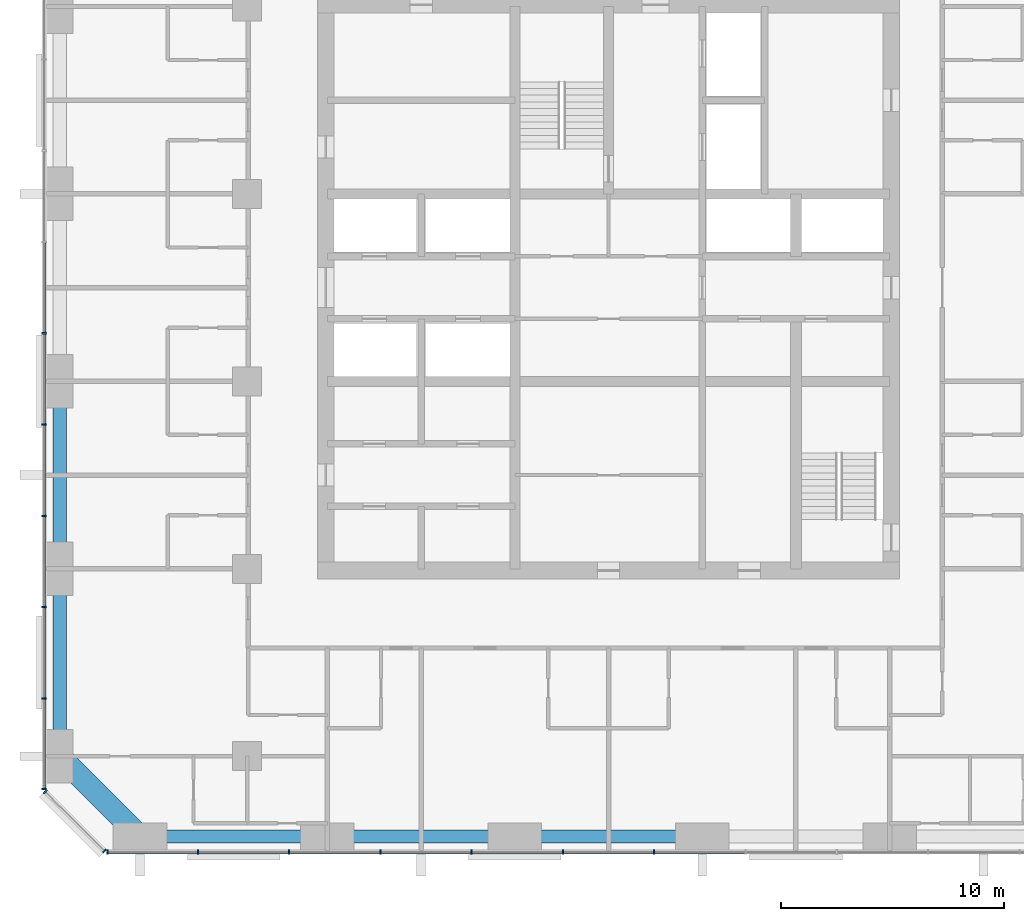
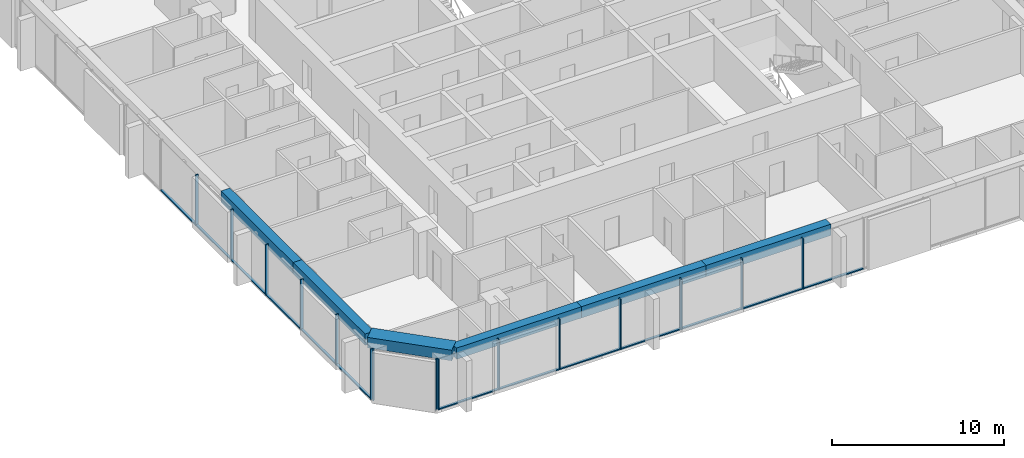
# One storey, part 2 of 13: 28 members, 6 beams, 3 elements without a shape of their own.
"""IFC4 building model written with IfcOpenShell, lengths in metres."""

from ifc_helpers import new_model, si_unit, direction, frame, origin, origin_2d, place, context, subcontext, project, spatial, rectangle, extrude, material, material_profile, profile_set, type_object, element, aggregate, save


model = new_model("IFC4")

# Units and contexts
model_context = context("Model", 3, precision=1e-05, world=origin(), true_north=direction((0.0, 1.0)))
body_context = subcontext(model_context, "Body", "Model", "MODEL_VIEW")
ifc_project = project(units=[si_unit("LENGTHUNIT", "METRE"), si_unit("AREAUNIT", "SQUARE_METRE"), si_unit("VOLUMEUNIT", "CUBIC_METRE"), si_unit("PLANEANGLEUNIT", "RADIAN"), si_unit("MASSUNIT", "GRAM", prefix="KILO")], contexts=[model_context])

# Site, building, storey
site_placement = place(None, origin())
site = spatial("IfcSite", under=ifc_project, at=site_placement, CompositionType="ELEMENT")
building_placement = place(site_placement, origin())
building = spatial("IfcBuilding", under=site, at=building_placement, Name="Dunama Terrace Hotel", CompositionType="ELEMENT")
storey_placement = place(building_placement, frame((0.0, 0.0, 166.199951171875)))
storey = spatial("IfcBuildingStorey", under=building, at=storey_placement, Name="L42", CompositionType="ELEMENT", Elevation=166.199951171875)

# Curtain wall, members
ifc_material_1 = material(Name="Aluminium curtain wall system", Category="aluminium")
curtain_wall_type = type_object("IfcCurtainWallType", Name="Unitised fritted glass wall CW-C", PredefinedType="NOTDEFINED", material=ifc_material_1)
curtain_wall_1_placement = place(storey_placement, origin())
curtain_wall_1 = element("IfcCurtainWall", 1, at=curtain_wall_1_placement, inside=storey, type_object=curtain_wall_type, Name="Unitised fritted glass wall CW-C L42", PredefinedType="NOTDEFINED")
ifc_material_2 = material(Name="Aluminium mullion", Category="aluminium")
ifc_material_profile_1 = material_profile(ifc_material_2, rectangle(XDim=0.070068359375, YDim=0.199951171875, at=origin_2d()), Name="CWC MULLION 70X200")
ifc_profile_set_1 = profile_set([ifc_material_profile_1], Name="Aluminium mullion")
member_type_1 = type_object("IfcMemberType", Name="CWC mullion 70x200", PredefinedType="MULLION", material=ifc_profile_set_1)
member_1_placement = place(storey_placement, frame((6.93505859375, 4.10009765625, 0.0), z_axis=(0.0, 0.0, 1.0), x_axis=(1.0, 0.0, 0.0)))
member_1 = element("IfcMember", 2, at=member_1_placement, type_object=member_type_1, Name="CWC mullion", PredefinedType="MULLION", context=body_context, shape_type="SweptSolid", body=[
    extrude(rectangle(XDim=0.070068359375, YDim=0.199951171875, at=origin_2d()), origin(), (0.0, 0.0, 1.0), 3.60009765625),
])
member_2_placement = place(storey_placement, frame((10.990966796875, 4.10009765625, 0.0), z_axis=(0.0, 0.0, 1.0), x_axis=(1.0, 0.0, 0.0)))
member_2 = element("IfcMember", 3, at=member_2_placement, type_object=member_type_1, Name="CWC mullion", PredefinedType="MULLION", context=body_context, shape_type="SweptSolid", body=[
    extrude(rectangle(XDim=0.070068359375, YDim=0.199951171875, at=origin_2d()), origin(), (0.0, 0.0, 1.0), 3.60009765625),
])
member_3_placement = place(storey_placement, frame((15.08203125, 4.10009765625, 0.0), z_axis=(0.0, 0.0, 1.0), x_axis=(1.0, 0.0, 0.0)))
member_3 = element("IfcMember", 4, at=member_3_placement, type_object=member_type_1, Name="CWC mullion", PredefinedType="MULLION", context=body_context, shape_type="SweptSolid", body=[
    extrude(rectangle(XDim=0.070068359375, YDim=0.199951171875, at=origin_2d()), origin(), (0.0, 0.0, 1.0), 3.60009765625),
])
member_4_placement = place(storey_placement, frame((19.173095703125, 4.10009765625, 0.0), z_axis=(0.0, 0.0, 1.0), x_axis=(1.0, 0.0, 0.0)))
member_4 = element("IfcMember", 5, at=member_4_placement, type_object=member_type_1, Name="CWC mullion", PredefinedType="MULLION", context=body_context, shape_type="SweptSolid", body=[
    extrude(rectangle(XDim=0.070068359375, YDim=0.199951171875, at=origin_2d()), origin(), (0.0, 0.0, 1.0), 3.60009765625),
])
member_5_placement = place(storey_placement, frame((23.263916015625, 4.10009765625, 0.0), z_axis=(0.0, 0.0, 1.0), x_axis=(1.0, 0.0, 0.0)))
member_5 = element("IfcMember", 6, at=member_5_placement, type_object=member_type_1, Name="CWC mullion", PredefinedType="MULLION", context=body_context, shape_type="SweptSolid", body=[
    extrude(rectangle(XDim=0.070068359375, YDim=0.199951171875, at=origin_2d()), origin(), (0.0, 0.0, 1.0), 3.60009765625),
])
member_6_placement = place(storey_placement, frame((27.35498046875, 4.10009765625, 0.0), z_axis=(0.0, 0.0, 1.0), x_axis=(1.0, 0.0, 0.0)))
member_6 = element("IfcMember", 7, at=member_6_placement, type_object=member_type_1, Name="CWC mullion", PredefinedType="MULLION", context=body_context, shape_type="SweptSolid", body=[
    extrude(rectangle(XDim=0.070068359375, YDim=0.199951171875, at=origin_2d()), origin(), (0.0, 0.0, 1.0), 3.60009765625),
])
member_7_placement = place(storey_placement, frame((31.445068359375, 4.10009765625, 0.0), z_axis=(0.0, 0.0, 1.0), x_axis=(1.0, 0.0, 0.0)))
member_7 = element("IfcMember", 8, at=member_7_placement, type_object=member_type_1, Name="CWC mullion", PredefinedType="MULLION", context=body_context, shape_type="SweptSolid", body=[
    extrude(rectangle(XDim=0.070068359375, YDim=0.199951171875, at=origin_2d()), origin(), (0.0, 0.0, 1.0), 3.60009765625),
])

curtain_wall_2_placement = place(storey_placement, origin())
curtain_wall_2 = element("IfcCurtainWall", 9, at=curtain_wall_2_placement, inside=storey, type_object=curtain_wall_type, Name="Unitised fritted glass wall CW-C L42", PredefinedType="NOTDEFINED")
member_8_placement = place(storey_placement, frame((4.10009765625, 27.35498046875, 0.0), z_axis=(0.0, 0.0, 1.0), x_axis=(0.0, -1.0, 0.0)))
member_8 = element("IfcMember", 10, at=member_8_placement, type_object=member_type_1, Name="CWC mullion", PredefinedType="MULLION", context=body_context, shape_type="SweptSolid", body=[
    extrude(rectangle(XDim=0.070068359375, YDim=0.199951171875, at=origin_2d()), origin(), (0.0, 0.0, 1.0), 3.60009765625),
])
member_9_placement = place(storey_placement, frame((4.10009765625, 23.263916015625, 0.0), z_axis=(0.0, 0.0, 1.0), x_axis=(0.0, -1.0, 0.0)))
member_9 = element("IfcMember", 11, at=member_9_placement, type_object=member_type_1, Name="CWC mullion", PredefinedType="MULLION", context=body_context, shape_type="SweptSolid", body=[
    extrude(rectangle(XDim=0.070068359375, YDim=0.199951171875, at=origin_2d()), origin(), (0.0, 0.0, 1.0), 3.60009765625),
])
member_10_placement = place(storey_placement, frame((4.10009765625, 19.173095703125, 0.0), z_axis=(0.0, 0.0, 1.0), x_axis=(0.0, -1.0, 0.0)))
member_10 = element("IfcMember", 12, at=member_10_placement, type_object=member_type_1, Name="CWC mullion", PredefinedType="MULLION", context=body_context, shape_type="SweptSolid", body=[
    extrude(rectangle(XDim=0.070068359375, YDim=0.199951171875, at=origin_2d()), origin(), (0.0, 0.0, 1.0), 3.60009765625),
])
member_11_placement = place(storey_placement, frame((4.10009765625, 15.08203125, 0.0), z_axis=(0.0, 0.0, 1.0), x_axis=(0.0, -1.0, 0.0)))
member_11 = element("IfcMember", 13, at=member_11_placement, type_object=member_type_1, Name="CWC mullion", PredefinedType="MULLION", context=body_context, shape_type="SweptSolid", body=[
    extrude(rectangle(XDim=0.070068359375, YDim=0.199951171875, at=origin_2d()), origin(), (0.0, 0.0, 1.0), 3.60009765625),
])
member_12_placement = place(storey_placement, frame((4.10009765625, 10.990966796875, 0.0), z_axis=(0.0, 0.0, 1.0), x_axis=(0.0, -1.0, 0.0)))
member_12 = element("IfcMember", 14, at=member_12_placement, type_object=member_type_1, Name="CWC mullion", PredefinedType="MULLION", context=body_context, shape_type="SweptSolid", body=[
    extrude(rectangle(XDim=0.070068359375, YDim=0.199951171875, at=origin_2d()), origin(), (0.0, 0.0, 1.0), 3.60009765625),
])
member_13_placement = place(storey_placement, frame((4.10009765625, 6.93505859375, 0.0), z_axis=(0.0, 0.0, 1.0), x_axis=(0.0, -1.0, 0.0)))
member_13 = element("IfcMember", 15, at=member_13_placement, type_object=member_type_1, Name="CWC mullion", PredefinedType="MULLION", context=body_context, shape_type="SweptSolid", body=[
    extrude(rectangle(XDim=0.070068359375, YDim=0.199951171875, at=origin_2d()), origin(), (0.0, 0.0, 1.0), 3.60009765625),
])

curtain_wall_3_placement = place(storey_placement, origin())
curtain_wall_3 = element("IfcCurtainWall", 16, at=curtain_wall_3_placement, inside=storey, type_object=curtain_wall_type, Name="Unitised fritted glass wall CW-C L42", PredefinedType="NOTDEFINED")
member_14_placement = place(storey_placement, frame((4.154052734375, 6.804931640625, 0.0), z_axis=(0.0, 0.0, 1.0), x_axis=(0.707106781187, -0.707106781187, 0.0)))
member_14 = element("IfcMember", 17, at=member_14_placement, type_object=member_type_1, Name="CWC mullion", PredefinedType="MULLION", context=body_context, shape_type="SweptSolid", body=[
    extrude(rectangle(XDim=0.070068359375, YDim=0.199951171875, at=origin_2d()), origin(), (0.0, 0.0, 1.0), 3.60009765625),
])
member_15_placement = place(storey_placement, frame((6.804931640625, 4.154052734375, 0.0), z_axis=(0.0, 0.0, 1.0), x_axis=(0.707106781187, -0.707106781187, 0.0)))
member_15 = element("IfcMember", 18, at=member_15_placement, type_object=member_type_1, Name="CWC mullion", PredefinedType="MULLION", context=body_context, shape_type="SweptSolid", body=[
    extrude(rectangle(XDim=0.070068359375, YDim=0.199951171875, at=origin_2d()), origin(), (0.0, 0.0, 1.0), 3.60009765625),
])
aggregate(curtain_wall_3, [member_14, member_15])

# Member
ifc_material_3 = material(Name="Aluminium transom", Category="aluminium")
ifc_material_profile_2 = material_profile(ifc_material_3, rectangle(XDim=0.159912109375, YDim=0.080078125, at=origin_2d()), Name="CWC TRANSOM 160X80")
ifc_profile_set_2 = profile_set([ifc_material_profile_2], Name="Aluminium transom")
member_type_2 = type_object("IfcMemberType", Name="CWC transom 160x80", PredefinedType="USERDEFINED", material=ifc_profile_set_2)
member_16_placement = place(storey_placement, frame((6.969970703125, 4.10009765625, 0.0400390625), z_axis=(1.0, 0.0, 0.0), x_axis=(0.0, 1.0, 0.0)))
member_16 = element("IfcMember", 19, at=member_16_placement, type_object=member_type_2, Name="CWC transom", ObjectType="TRANSOM", PredefinedType="USERDEFINED", context=body_context, shape_type="SweptSolid", body=[
    extrude(rectangle(XDim=0.159912109375, YDim=0.080078125, at=origin_2d()), origin(), (0.0, 0.0, 1.0), 3.986083984375),
])

member_17_placement = place(storey_placement, frame((11.02587890625, 4.10009765625, 0.0400390625), z_axis=(1.0, 0.0, 0.0), x_axis=(0.0, 1.0, 0.0)))
member_17 = element("IfcMember", 20, at=member_17_placement, type_object=member_type_2, Name="CWC transom", ObjectType="TRANSOM", PredefinedType="USERDEFINED", context=body_context, shape_type="SweptSolid", body=[
    extrude(rectangle(XDim=0.159912109375, YDim=0.080078125, at=origin_2d()), origin(), (0.0, 0.0, 1.0), 4.021240234375),
])

member_18_placement = place(storey_placement, frame((15.116943359375, 4.10009765625, 0.0400390625), z_axis=(1.0, 0.0, 0.0), x_axis=(0.0, 1.0, 0.0)))
member_18 = element("IfcMember", 21, at=member_18_placement, type_object=member_type_2, Name="CWC transom", ObjectType="TRANSOM", PredefinedType="USERDEFINED", context=body_context, shape_type="SweptSolid", body=[
    extrude(rectangle(XDim=0.159912109375, YDim=0.080078125, at=origin_2d()), origin(), (0.0, 0.0, 1.0), 4.02099609375),
])

member_19_placement = place(storey_placement, frame((19.2080078125, 4.10009765625, 0.0400390625), z_axis=(1.0, 0.0, 0.0), x_axis=(0.0, 1.0, 0.0)))
member_19 = element("IfcMember", 22, at=member_19_placement, type_object=member_type_2, Name="CWC transom", ObjectType="TRANSOM", PredefinedType="USERDEFINED", context=body_context, shape_type="SweptSolid", body=[
    extrude(rectangle(XDim=0.159912109375, YDim=0.080078125, at=origin_2d()), origin(), (0.0, 0.0, 1.0), 4.02099609375),
])

member_20_placement = place(storey_placement, frame((23.299072265625, 4.10009765625, 0.0400390625), z_axis=(1.0, 0.0, 0.0), x_axis=(0.0, 1.0, 0.0)))
member_20 = element("IfcMember", 23, at=member_20_placement, type_object=member_type_2, Name="CWC transom", ObjectType="TRANSOM", PredefinedType="USERDEFINED", context=body_context, shape_type="SweptSolid", body=[
    extrude(rectangle(XDim=0.159912109375, YDim=0.080078125, at=origin_2d()), origin(), (0.0, 0.0, 1.0), 4.02099609375),
])

member_21_placement = place(storey_placement, frame((27.389892578125, 4.10009765625, 0.0400390625), z_axis=(1.0, 0.0, 0.0), x_axis=(0.0, 1.0, 0.0)))
member_21 = element("IfcMember", 24, at=member_21_placement, type_object=member_type_2, Name="CWC transom", ObjectType="TRANSOM", PredefinedType="USERDEFINED", context=body_context, shape_type="SweptSolid", body=[
    extrude(rectangle(XDim=0.159912109375, YDim=0.080078125, at=origin_2d()), origin(), (0.0, 0.0, 1.0), 4.02001953125),
])

member_22_placement = place(storey_placement, frame((31.47998046875, 4.10009765625, 0.0400390625), z_axis=(1.0, 0.0, 0.0), x_axis=(0.0, 1.0, 0.0)))
member_22 = element("IfcMember", 25, at=member_22_placement, type_object=member_type_2, Name="CWC transom", ObjectType="TRANSOM", PredefinedType="USERDEFINED", context=body_context, shape_type="SweptSolid", body=[
    extrude(rectangle(XDim=0.159912109375, YDim=0.080078125, at=origin_2d()), origin(), (0.0, 0.0, 1.0), 4.02099609375),
])

aggregate(curtain_wall_1, [member_1, member_2, member_3, member_4, member_5, member_6, member_7, member_16, member_17, member_18, member_19, member_20, member_21, member_22])

member_23_placement = place(storey_placement, frame((4.10009765625, 31.409912109375, 0.0400390625), z_axis=(0.0, -1.0, 0.0), x_axis=(1.0, 0.0, 0.0)))
member_23 = element("IfcMember", 26, at=member_23_placement, type_object=member_type_2, Name="CWC transom", ObjectType="TRANSOM", PredefinedType="USERDEFINED", context=body_context, shape_type="SweptSolid", body=[
    extrude(rectangle(XDim=0.159912109375, YDim=0.080078125, at=origin_2d()), origin(), (0.0, 0.0, 1.0), 4.02001953125),
])

member_24_placement = place(storey_placement, frame((4.10009765625, 27.320068359375, 0.0400390625), z_axis=(0.0, -1.0, 0.0), x_axis=(1.0, 0.0, 0.0)))
member_24 = element("IfcMember", 27, at=member_24_placement, type_object=member_type_2, Name="CWC transom", ObjectType="TRANSOM", PredefinedType="USERDEFINED", context=body_context, shape_type="SweptSolid", body=[
    extrude(rectangle(XDim=0.159912109375, YDim=0.080078125, at=origin_2d()), origin(), (0.0, 0.0, 1.0), 4.02099609375),
])

member_25_placement = place(storey_placement, frame((4.10009765625, 23.22900390625, 0.0400390625), z_axis=(0.0, -1.0, 0.0), x_axis=(1.0, 0.0, 0.0)))
member_25 = element("IfcMember", 28, at=member_25_placement, type_object=member_type_2, Name="CWC transom", ObjectType="TRANSOM", PredefinedType="USERDEFINED", context=body_context, shape_type="SweptSolid", body=[
    extrude(rectangle(XDim=0.159912109375, YDim=0.080078125, at=origin_2d()), origin(), (0.0, 0.0, 1.0), 4.02099609375),
])

member_26_placement = place(storey_placement, frame((4.10009765625, 19.137939453125, 0.0400390625), z_axis=(0.0, -1.0, 0.0), x_axis=(1.0, 0.0, 0.0)))
member_26 = element("IfcMember", 29, at=member_26_placement, type_object=member_type_2, Name="CWC transom", ObjectType="TRANSOM", PredefinedType="USERDEFINED", context=body_context, shape_type="SweptSolid", body=[
    extrude(rectangle(XDim=0.159912109375, YDim=0.080078125, at=origin_2d()), origin(), (0.0, 0.0, 1.0), 4.02099609375),
])

member_27_placement = place(storey_placement, frame((4.10009765625, 15.047119140625, 0.0400390625), z_axis=(0.0, -1.0, 0.0), x_axis=(1.0, 0.0, 0.0)))
member_27 = element("IfcMember", 30, at=member_27_placement, type_object=member_type_2, Name="CWC transom", ObjectType="TRANSOM", PredefinedType="USERDEFINED", context=body_context, shape_type="SweptSolid", body=[
    extrude(rectangle(XDim=0.159912109375, YDim=0.080078125, at=origin_2d()), origin(), (0.0, 0.0, 1.0), 4.021240234375),
])

member_28_placement = place(storey_placement, frame((4.10009765625, 10.9560546875, 0.0400390625), z_axis=(0.0, -1.0, 0.0), x_axis=(1.0, 0.0, 0.0)))
member_28 = element("IfcMember", 31, at=member_28_placement, type_object=member_type_2, Name="CWC transom", ObjectType="TRANSOM", PredefinedType="USERDEFINED", context=body_context, shape_type="SweptSolid", body=[
    extrude(rectangle(XDim=0.159912109375, YDim=0.080078125, at=origin_2d()), origin(), (0.0, 0.0, 1.0), 3.986083984375),
])

aggregate(curtain_wall_2, [member_8, member_9, member_10, member_11, member_12, member_13, member_23, member_24, member_25, member_26, member_27, member_28])

# Beams
ifc_material_4 = material(Name="Concrete C50/60", Category="concrete")
ifc_material_profile_3 = material_profile(ifc_material_4, rectangle(XDim=1.0, YDim=0.75, at=origin_2d()), Name="RC 1000x750")
ifc_profile_set_3 = profile_set([ifc_material_profile_3], Name="Concrete C50/60")
beam_type_1 = type_object("IfcBeamType", Name="Edge beam RC 1000x750", PredefinedType="SPANDREL", material=ifc_profile_set_3)
beam_1_placement = place(storey_placement, frame((8.39990234375, 4.800048828125, 3.22509765625), z_axis=(-0.707106781187, 0.707106781187, 0.0), x_axis=(-0.707106781187, -0.707106781187, 0.0)))
element("IfcBeam", 32, at=beam_1_placement, inside=storey, type_object=beam_type_1, Name="Corner edge beam under L43", PredefinedType="SPANDREL", context=body_context, shape_type="SweptSolid", body=[
    extrude(rectangle(XDim=1.0, YDim=0.75, at=origin_2d()), origin(), (0.0, 0.0, 1.0), 5.091064453125),
])
ifc_material_5 = material(Name="Concrete C40/50", Category="concrete")
ifc_material_profile_4 = material_profile(ifc_material_5, rectangle(XDim=0.60009765625, YDim=0.800048828125, at=origin_2d()), Name="RC 600x800")
ifc_profile_set_4 = profile_set([ifc_material_profile_4], Name="Concrete C40/50")
beam_type_2 = type_object("IfcBeamType", Name="Edge beam RC 600x800", PredefinedType="SPANDREL", material=ifc_profile_set_4)
beam_2_placement = place(storey_placement, frame((4.800048828125, 8.39990234375, 3.199951171875), z_axis=(0.0, 1.0, 0.0), x_axis=(-1.0, 0.0, 0.0)))
element("IfcBeam", 33, at=beam_2_placement, inside=storey, type_object=beam_type_2, Name="Edge beam under L43", PredefinedType="SPANDREL", context=body_context, shape_type="SweptSolid", body=[
    extrude(rectangle(XDim=0.60009765625, YDim=0.800048828125, at=origin_2d()), origin(), (0.0, 0.0, 1.0), 8.400146484375),
])
beam_3_placement = place(storey_placement, frame((4.800048828125, 16.800048828125, 3.199951171875), z_axis=(0.0, 1.0, 0.0), x_axis=(-1.0, 0.0, 0.0)))
element("IfcBeam", 34, at=beam_3_placement, inside=storey, type_object=beam_type_2, Name="Edge beam under L43", PredefinedType="SPANDREL", context=body_context, shape_type="SweptSolid", body=[
    extrude(rectangle(XDim=0.60009765625, YDim=0.800048828125, at=origin_2d()), origin(), (0.0, 0.0, 1.0), 8.39990234375),
])
beam_4_placement = place(storey_placement, frame((8.39990234375, 4.800048828125, 3.199951171875), z_axis=(1.0, 0.0, 0.0), x_axis=(0.0, 1.0, 0.0)))
element("IfcBeam", 35, at=beam_4_placement, inside=storey, type_object=beam_type_2, Name="Edge beam under L43", PredefinedType="SPANDREL", context=body_context, shape_type="SweptSolid", body=[
    extrude(rectangle(XDim=0.60009765625, YDim=0.800048828125, at=origin_2d()), origin(), (0.0, 0.0, 1.0), 8.400146484375),
])
beam_5_placement = place(storey_placement, frame((16.800048828125, 4.800048828125, 3.199951171875), z_axis=(1.0, 0.0, 0.0), x_axis=(0.0, 1.0, 0.0)))
element("IfcBeam", 36, at=beam_5_placement, inside=storey, type_object=beam_type_2, Name="Edge beam under L43", PredefinedType="SPANDREL", context=body_context, shape_type="SweptSolid", body=[
    extrude(rectangle(XDim=0.60009765625, YDim=0.800048828125, at=origin_2d()), origin(), (0.0, 0.0, 1.0), 8.39990234375),
])
beam_6_placement = place(storey_placement, frame((25.199951171875, 4.800048828125, 3.199951171875), z_axis=(1.0, 0.0, 0.0), x_axis=(0.0, 1.0, 0.0)))
element("IfcBeam", 37, at=beam_6_placement, inside=storey, type_object=beam_type_2, Name="Edge beam under L43", PredefinedType="SPANDREL", context=body_context, shape_type="SweptSolid", body=[
    extrude(rectangle(XDim=0.60009765625, YDim=0.800048828125, at=origin_2d()), origin(), (0.0, 0.0, 1.0), 8.400146484375),
])

save(model, "model.ifc")
